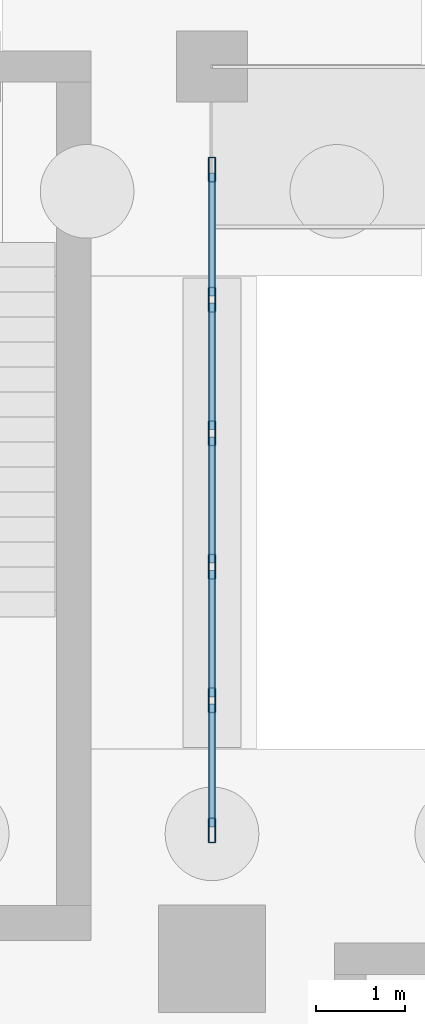
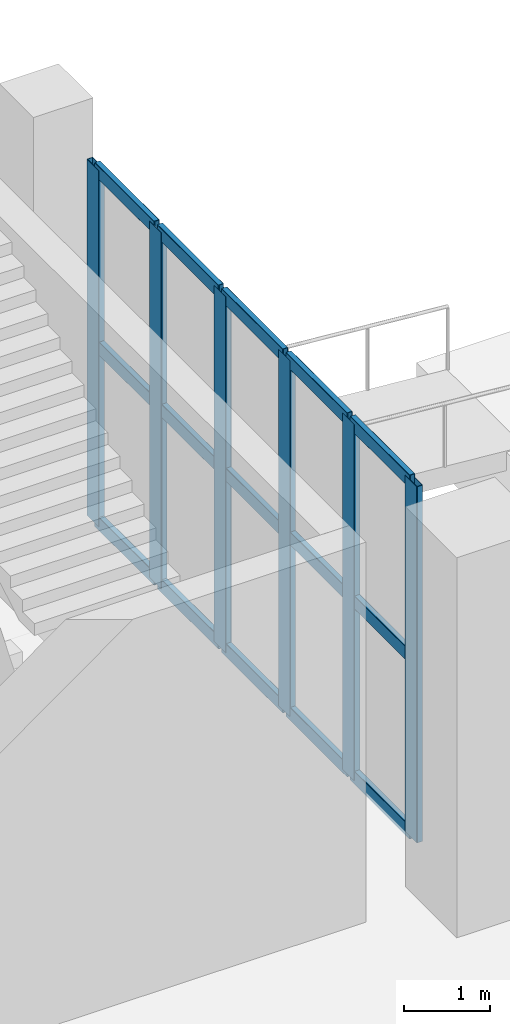
# One storey, part 38 of 70: 21 members, 1 element without a shape of its own.
"""IFC4 building model written with IfcOpenShell, lengths in metres."""

from ifc_helpers import new_model, si_unit, direction, frame, origin, origin_2d, place, context, subcontext, project, spatial, hollow_rectangle, extrude, material, layer, layer_set, material_profile, profile_set, type_object, element, aggregate, save


model = new_model("IFC4")

# Units and contexts
model_context = context("Model", 3, precision=1e-05, world=origin(), true_north=direction((0.0, 1.0)))
body_context = subcontext(model_context, "Body", "Model", "MODEL_VIEW")
ifc_project = project(units=[si_unit("LENGTHUNIT", "METRE"), si_unit("AREAUNIT", "SQUARE_METRE"), si_unit("VOLUMEUNIT", "CUBIC_METRE"), si_unit("PLANEANGLEUNIT", "RADIAN"), si_unit("MASSUNIT", "GRAM", prefix="KILO")], contexts=[model_context])

# Site, building, storey
site_placement = place(None, origin())
site = spatial("IfcSite", under=ifc_project, at=site_placement, CompositionType="ELEMENT")
building_placement = place(site_placement, origin())
building = spatial("IfcBuilding", under=site, at=building_placement, Name="Brinegate Civic Arena", CompositionType="ELEMENT")
storey_placement = place(building_placement, origin())
storey = spatial("IfcBuildingStorey", under=building, at=storey_placement, Name="L00", CompositionType="ELEMENT", Elevation=0.0)

# Curtain wall, members
ifc_material = material(Name="Marine grade aluminium", Category="aluminium")
ifc_layer = layer(ifc_material, 0.25, Name="Marine grade aluminium")
ifc_layer_set = layer_set([ifc_layer], Name="Marine grade aluminium")
curtain_wall_type = type_object("IfcCurtainWallType", Name="CW-PORTAL-SOUTH-02", PredefinedType="USERDEFINED", material=ifc_layer_set)
curtain_wall_placement = place(storey_placement, origin())
curtain_wall = element("IfcCurtainWall", 1, at=curtain_wall_placement, inside=storey, type_object=curtain_wall_type, Name="Curtain Wall CWA-011", ObjectType="PORTAL CURTAIN WALL", PredefinedType="USERDEFINED")
ifc_material_profile_1 = material_profile(ifc_material, hollow_rectangle(XDim=0.080078125, YDim=0.280029296875, WallThickness=0.007080078125, InnerFilletRadius=0.0048828125, OuterFilletRadius=0.010009765625, at=origin_2d()), Name="MUL80X280")
ifc_profile_set_1 = profile_set([ifc_material_profile_1], Name="Marine grade aluminium")
member_type_1 = type_object("IfcMemberType", Name="CW-MULLION-80X280", PredefinedType="MULLION", material=ifc_profile_set_1)
member_1_placement = place(storey_placement, frame((132.0, 115.43896484375, 0.0), z_axis=(0.0, 0.0, 1.0), x_axis=(-1.0, 0.0, 0.0)))
member_1 = element("IfcMember", 2, at=member_1_placement, type_object=member_type_1, Name="CWA-011 mullion 1", PredefinedType="MULLION", context=body_context, shape_type="SweptSolid", body=[
    extrude(hollow_rectangle(XDim=0.080078125, YDim=0.280029296875, WallThickness=0.007080078125, InnerFilletRadius=0.0048828125, OuterFilletRadius=0.010009765625, at=origin_2d()), origin(), (0.0, 0.0, 1.0), 5.06005859375),
])
member_2_placement = place(storey_placement, frame((132.0, 116.89599609375, 0.0), z_axis=(0.0, 0.0, 1.0), x_axis=(-1.0, 0.0, 0.0)))
member_2 = element("IfcMember", 3, at=member_2_placement, type_object=member_type_1, Name="CWA-011 mullion 2", PredefinedType="MULLION", context=body_context, shape_type="SweptSolid", body=[
    extrude(hollow_rectangle(XDim=0.080078125, YDim=0.280029296875, WallThickness=0.007080078125, InnerFilletRadius=0.0048828125, OuterFilletRadius=0.010009765625, at=origin_2d()), origin(), (0.0, 0.0, 1.0), 5.06005859375),
])
member_3_placement = place(storey_placement, frame((132.0, 118.39306640625, 0.0), z_axis=(0.0, 0.0, 1.0), x_axis=(-1.0, 0.0, 0.0)))
member_3 = element("IfcMember", 4, at=member_3_placement, type_object=member_type_1, Name="CWA-011 mullion 3", PredefinedType="MULLION", context=body_context, shape_type="SweptSolid", body=[
    extrude(hollow_rectangle(XDim=0.080078125, YDim=0.280029296875, WallThickness=0.007080078125, InnerFilletRadius=0.0048828125, OuterFilletRadius=0.010009765625, at=origin_2d()), origin(), (0.0, 0.0, 1.0), 5.06005859375),
])
member_4_placement = place(storey_placement, frame((132.0, 119.889892578125, 0.0), z_axis=(0.0, 0.0, 1.0), x_axis=(-1.0, 0.0, 0.0)))
member_4 = element("IfcMember", 5, at=member_4_placement, type_object=member_type_1, Name="CWA-011 mullion 4", PredefinedType="MULLION", context=body_context, shape_type="SweptSolid", body=[
    extrude(hollow_rectangle(XDim=0.080078125, YDim=0.280029296875, WallThickness=0.007080078125, InnerFilletRadius=0.0048828125, OuterFilletRadius=0.010009765625, at=origin_2d()), origin(), (0.0, 0.0, 1.0), 5.06005859375),
])
member_5_placement = place(storey_placement, frame((132.0, 121.386962890625, 0.0), z_axis=(0.0, 0.0, 1.0), x_axis=(-1.0, 0.0, 0.0)))
member_5 = element("IfcMember", 6, at=member_5_placement, type_object=member_type_1, Name="CWA-011 mullion 5", PredefinedType="MULLION", context=body_context, shape_type="SweptSolid", body=[
    extrude(hollow_rectangle(XDim=0.080078125, YDim=0.280029296875, WallThickness=0.007080078125, InnerFilletRadius=0.0048828125, OuterFilletRadius=0.010009765625, at=origin_2d()), origin(), (0.0, 0.0, 1.0), 5.06005859375),
])
member_6_placement = place(storey_placement, frame((132.0, 122.843994140625, 0.0), z_axis=(0.0, 0.0, 1.0), x_axis=(-1.0, 0.0, 0.0)))
member_6 = element("IfcMember", 7, at=member_6_placement, type_object=member_type_1, Name="CWA-011 mullion 6", PredefinedType="MULLION", context=body_context, shape_type="SweptSolid", body=[
    extrude(hollow_rectangle(XDim=0.080078125, YDim=0.280029296875, WallThickness=0.007080078125, InnerFilletRadius=0.0048828125, OuterFilletRadius=0.010009765625, at=origin_2d()), origin(), (0.0, 0.0, 1.0), 5.06005859375),
])
ifc_material_profile_2 = material_profile(ifc_material, hollow_rectangle(XDim=0.074951171875, YDim=0.18994140625, WallThickness=0.006103515625, InnerFilletRadius=0.00390625, OuterFilletRadius=0.008056640625, at=origin_2d()), Name="TRN75X190")
ifc_profile_set_2 = profile_set([ifc_material_profile_2], Name="Marine grade aluminium")
member_type_2 = type_object("IfcMemberType", Name="CW-TRANSOM-75X190", PredefinedType="USERDEFINED", material=ifc_profile_set_2)
member_7_placement = place(storey_placement, frame((132.0, 115.47900390625, 0.03759765625), z_axis=(0.0, 1.0, 0.0), x_axis=(-1.0, 0.0, 0.0)))
member_7 = element("IfcMember", 8, at=member_7_placement, type_object=member_type_2, Name="CWA-011 transom 1.1", ObjectType="TRANSOM", PredefinedType="USERDEFINED", context=body_context, shape_type="SweptSolid", body=[
    extrude(hollow_rectangle(XDim=0.074951171875, YDim=0.18994140625, WallThickness=0.006103515625, InnerFilletRadius=0.00390625, OuterFilletRadius=0.008056640625, at=origin_2d()), origin(), (0.0, 0.0, 1.0), 1.376953125),
])
member_8_placement = place(storey_placement, frame((132.0, 115.47900390625, 2.530029296875), z_axis=(0.0, 1.0, 0.0), x_axis=(-1.0, 0.0, 0.0)))
member_8 = element("IfcMember", 9, at=member_8_placement, type_object=member_type_2, Name="CWA-011 transom 1.2", ObjectType="TRANSOM", PredefinedType="USERDEFINED", context=body_context, shape_type="SweptSolid", body=[
    extrude(hollow_rectangle(XDim=0.074951171875, YDim=0.18994140625, WallThickness=0.006103515625, InnerFilletRadius=0.00390625, OuterFilletRadius=0.008056640625, at=origin_2d()), origin(), (0.0, 0.0, 1.0), 1.376953125),
])
member_9_placement = place(storey_placement, frame((132.0, 115.47900390625, 5.0224609375), z_axis=(0.0, 1.0, 0.0), x_axis=(-1.0, 0.0, 0.0)))
member_9 = element("IfcMember", 10, at=member_9_placement, type_object=member_type_2, Name="CWA-011 transom 1.3", ObjectType="TRANSOM", PredefinedType="USERDEFINED", context=body_context, shape_type="SweptSolid", body=[
    extrude(hollow_rectangle(XDim=0.074951171875, YDim=0.18994140625, WallThickness=0.006103515625, InnerFilletRadius=0.00390625, OuterFilletRadius=0.008056640625, at=origin_2d()), origin(), (0.0, 0.0, 1.0), 1.376953125),
])
member_10_placement = place(storey_placement, frame((132.0, 116.93603515625, 0.03759765625), z_axis=(0.0, 1.0, 0.0), x_axis=(-1.0, 0.0, 0.0)))
member_10 = element("IfcMember", 11, at=member_10_placement, type_object=member_type_2, Name="CWA-011 transom 2.1", ObjectType="TRANSOM", PredefinedType="USERDEFINED", context=body_context, shape_type="SweptSolid", body=[
    extrude(hollow_rectangle(XDim=0.074951171875, YDim=0.18994140625, WallThickness=0.006103515625, InnerFilletRadius=0.00390625, OuterFilletRadius=0.008056640625, at=origin_2d()), origin(), (0.0, 0.0, 1.0), 1.4169921875),
])
member_11_placement = place(storey_placement, frame((132.0, 116.93603515625, 2.530029296875), z_axis=(0.0, 1.0, 0.0), x_axis=(-1.0, 0.0, 0.0)))
member_11 = element("IfcMember", 12, at=member_11_placement, type_object=member_type_2, Name="CWA-011 transom 2.2", ObjectType="TRANSOM", PredefinedType="USERDEFINED", context=body_context, shape_type="SweptSolid", body=[
    extrude(hollow_rectangle(XDim=0.074951171875, YDim=0.18994140625, WallThickness=0.006103515625, InnerFilletRadius=0.00390625, OuterFilletRadius=0.008056640625, at=origin_2d()), origin(), (0.0, 0.0, 1.0), 1.4169921875),
])
member_12_placement = place(storey_placement, frame((132.0, 116.93603515625, 5.0224609375), z_axis=(0.0, 1.0, 0.0), x_axis=(-1.0, 0.0, 0.0)))
member_12 = element("IfcMember", 13, at=member_12_placement, type_object=member_type_2, Name="CWA-011 transom 2.3", ObjectType="TRANSOM", PredefinedType="USERDEFINED", context=body_context, shape_type="SweptSolid", body=[
    extrude(hollow_rectangle(XDim=0.074951171875, YDim=0.18994140625, WallThickness=0.006103515625, InnerFilletRadius=0.00390625, OuterFilletRadius=0.008056640625, at=origin_2d()), origin(), (0.0, 0.0, 1.0), 1.4169921875),
])
member_13_placement = place(storey_placement, frame((132.0, 118.43310546875, 0.03759765625), z_axis=(0.0, 1.0, 0.0), x_axis=(-1.0, 0.0, 0.0)))
member_13 = element("IfcMember", 14, at=member_13_placement, type_object=member_type_2, Name="CWA-011 transom 3.1", ObjectType="TRANSOM", PredefinedType="USERDEFINED", context=body_context, shape_type="SweptSolid", body=[
    extrude(hollow_rectangle(XDim=0.074951171875, YDim=0.18994140625, WallThickness=0.006103515625, InnerFilletRadius=0.00390625, OuterFilletRadius=0.008056640625, at=origin_2d()), origin(), (0.0, 0.0, 1.0), 1.4169921875),
])
member_14_placement = place(storey_placement, frame((132.0, 118.43310546875, 2.530029296875), z_axis=(0.0, 1.0, 0.0), x_axis=(-1.0, 0.0, 0.0)))
member_14 = element("IfcMember", 15, at=member_14_placement, type_object=member_type_2, Name="CWA-011 transom 3.2", ObjectType="TRANSOM", PredefinedType="USERDEFINED", context=body_context, shape_type="SweptSolid", body=[
    extrude(hollow_rectangle(XDim=0.074951171875, YDim=0.18994140625, WallThickness=0.006103515625, InnerFilletRadius=0.00390625, OuterFilletRadius=0.008056640625, at=origin_2d()), origin(), (0.0, 0.0, 1.0), 1.4169921875),
])
member_15_placement = place(storey_placement, frame((132.0, 118.43310546875, 5.0224609375), z_axis=(0.0, 1.0, 0.0), x_axis=(-1.0, 0.0, 0.0)))
member_15 = element("IfcMember", 16, at=member_15_placement, type_object=member_type_2, Name="CWA-011 transom 3.3", ObjectType="TRANSOM", PredefinedType="USERDEFINED", context=body_context, shape_type="SweptSolid", body=[
    extrude(hollow_rectangle(XDim=0.074951171875, YDim=0.18994140625, WallThickness=0.006103515625, InnerFilletRadius=0.00390625, OuterFilletRadius=0.008056640625, at=origin_2d()), origin(), (0.0, 0.0, 1.0), 1.4169921875),
])
member_16_placement = place(storey_placement, frame((132.0, 119.929931640625, 0.03759765625), z_axis=(0.0, 1.0, 0.0), x_axis=(-1.0, 0.0, 0.0)))
member_16 = element("IfcMember", 17, at=member_16_placement, type_object=member_type_2, Name="CWA-011 transom 4.1", ObjectType="TRANSOM", PredefinedType="USERDEFINED", context=body_context, shape_type="SweptSolid", body=[
    extrude(hollow_rectangle(XDim=0.074951171875, YDim=0.18994140625, WallThickness=0.006103515625, InnerFilletRadius=0.00390625, OuterFilletRadius=0.008056640625, at=origin_2d()), origin(), (0.0, 0.0, 1.0), 1.4169921875),
])
member_17_placement = place(storey_placement, frame((132.0, 119.929931640625, 2.530029296875), z_axis=(0.0, 1.0, 0.0), x_axis=(-1.0, 0.0, 0.0)))
member_17 = element("IfcMember", 18, at=member_17_placement, type_object=member_type_2, Name="CWA-011 transom 4.2", ObjectType="TRANSOM", PredefinedType="USERDEFINED", context=body_context, shape_type="SweptSolid", body=[
    extrude(hollow_rectangle(XDim=0.074951171875, YDim=0.18994140625, WallThickness=0.006103515625, InnerFilletRadius=0.00390625, OuterFilletRadius=0.008056640625, at=origin_2d()), origin(), (0.0, 0.0, 1.0), 1.4169921875),
])
member_18_placement = place(storey_placement, frame((132.0, 119.929931640625, 5.0224609375), z_axis=(0.0, 1.0, 0.0), x_axis=(-1.0, 0.0, 0.0)))
member_18 = element("IfcMember", 19, at=member_18_placement, type_object=member_type_2, Name="CWA-011 transom 4.3", ObjectType="TRANSOM", PredefinedType="USERDEFINED", context=body_context, shape_type="SweptSolid", body=[
    extrude(hollow_rectangle(XDim=0.074951171875, YDim=0.18994140625, WallThickness=0.006103515625, InnerFilletRadius=0.00390625, OuterFilletRadius=0.008056640625, at=origin_2d()), origin(), (0.0, 0.0, 1.0), 1.4169921875),
])
member_19_placement = place(storey_placement, frame((132.0, 121.427001953125, 0.03759765625), z_axis=(0.0, 1.0, 0.0), x_axis=(-1.0, 0.0, 0.0)))
member_19 = element("IfcMember", 20, at=member_19_placement, type_object=member_type_2, Name="CWA-011 transom 5.1", ObjectType="TRANSOM", PredefinedType="USERDEFINED", context=body_context, shape_type="SweptSolid", body=[
    extrude(hollow_rectangle(XDim=0.074951171875, YDim=0.18994140625, WallThickness=0.006103515625, InnerFilletRadius=0.00390625, OuterFilletRadius=0.008056640625, at=origin_2d()), origin(), (0.0, 0.0, 1.0), 1.376953125),
])
member_20_placement = place(storey_placement, frame((132.0, 121.427001953125, 2.530029296875), z_axis=(0.0, 1.0, 0.0), x_axis=(-1.0, 0.0, 0.0)))
member_20 = element("IfcMember", 21, at=member_20_placement, type_object=member_type_2, Name="CWA-011 transom 5.2", ObjectType="TRANSOM", PredefinedType="USERDEFINED", context=body_context, shape_type="SweptSolid", body=[
    extrude(hollow_rectangle(XDim=0.074951171875, YDim=0.18994140625, WallThickness=0.006103515625, InnerFilletRadius=0.00390625, OuterFilletRadius=0.008056640625, at=origin_2d()), origin(), (0.0, 0.0, 1.0), 1.376953125),
])
member_21_placement = place(storey_placement, frame((132.0, 121.427001953125, 5.0224609375), z_axis=(0.0, 1.0, 0.0), x_axis=(-1.0, 0.0, 0.0)))
member_21 = element("IfcMember", 22, at=member_21_placement, type_object=member_type_2, Name="CWA-011 transom 5.3", ObjectType="TRANSOM", PredefinedType="USERDEFINED", context=body_context, shape_type="SweptSolid", body=[
    extrude(hollow_rectangle(XDim=0.074951171875, YDim=0.18994140625, WallThickness=0.006103515625, InnerFilletRadius=0.00390625, OuterFilletRadius=0.008056640625, at=origin_2d()), origin(), (0.0, 0.0, 1.0), 1.376953125),
])
aggregate(curtain_wall, [member_1, member_2, member_3, member_4, member_5, member_6, member_7, member_8, member_9, member_10, member_11, member_12, member_13, member_14, member_15, member_16, member_17, member_18, member_19, member_20, member_21])

save(model, "model.ifc")
